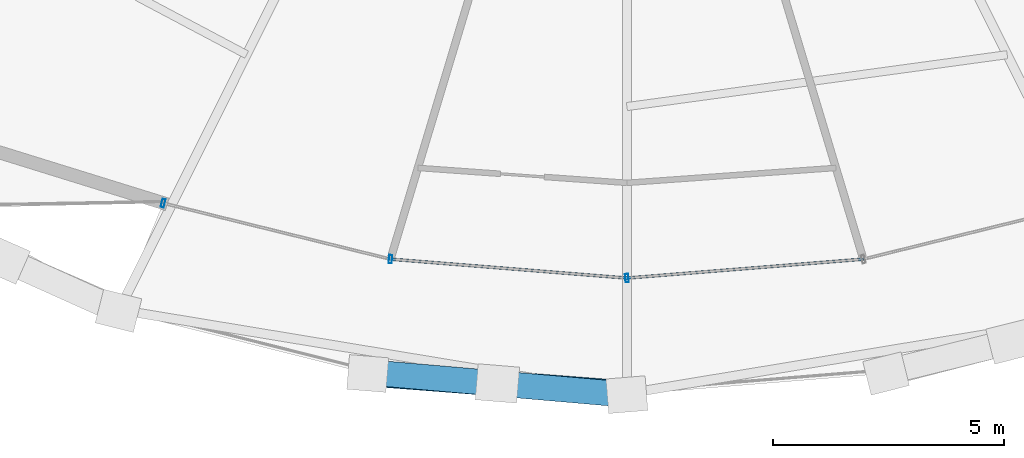
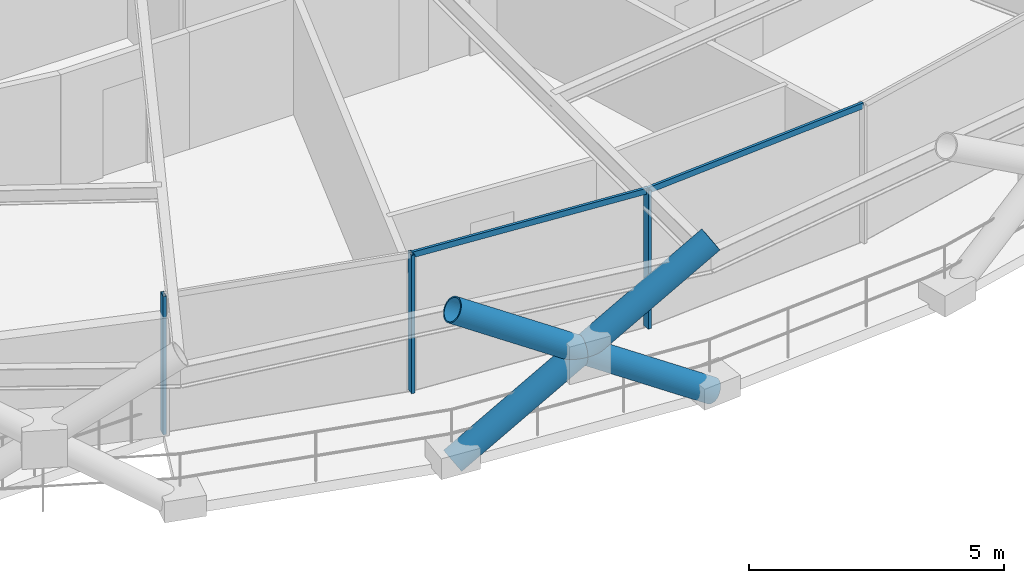
# One storey, part 2 of 20: 8 members, 1 element without a shape of its own.
"""IFC4 building model written with IfcOpenShell, lengths in metres."""

from ifc_helpers import new_model, si_unit, direction, frame, origin, origin_2d, place, context, subcontext, project, spatial, hollow_rectangle, hollow_circle, extrude, material, layer, layer_set, material_profile, profile_set, type_object, element, aggregate, save


model = new_model("IFC4")

# Units and contexts
model_context = context("Model", 3, precision=1e-05, world=origin(), true_north=direction((0.0, 1.0)))
body_context = subcontext(model_context, "Body", "Model", "MODEL_VIEW")
ifc_project = project(units=[si_unit("LENGTHUNIT", "METRE"), si_unit("AREAUNIT", "SQUARE_METRE"), si_unit("VOLUMEUNIT", "CUBIC_METRE"), si_unit("PLANEANGLEUNIT", "RADIAN"), si_unit("MASSUNIT", "GRAM", prefix="KILO")], contexts=[model_context])

# Site, building, storey
site_placement = place(None, origin())
site = spatial("IfcSite", under=ifc_project, at=site_placement, CompositionType="ELEMENT")
building_placement = place(site_placement, origin())
building = spatial("IfcBuilding", under=site, at=building_placement, Name="Veldorina Hangang Commons", CompositionType="ELEMENT")
storey_placement = place(building_placement, frame((0.0, 0.0, 117.199951171875)))
storey = spatial("IfcBuildingStorey", under=building, at=storey_placement, Name="L29", CompositionType="ELEMENT", Elevation=117.199951171875)

# Curtain wall, members
ifc_material_1 = material(Name="Glass Low-E Triple IGU", Category="glass")
ifc_layer = layer(ifc_material_1, 0.179931640625)
ifc_layer_set = layer_set([ifc_layer], Name="Glass Low-E Triple IGU")
curtain_wall_type = type_object("IfcCurtainWallType", Name="CW-SYS-Z2", PredefinedType="NOTDEFINED", material=ifc_layer_set)
curtain_wall_placement = place(storey_placement, origin())
curtain_wall = element("IfcCurtainWall", 1, at=curtain_wall_placement, inside=storey, type_object=curtain_wall_type, Name="L29 unitised curtain wall CW-L29-R1", PredefinedType="NOTDEFINED")
ifc_material_2 = material(Name="Aluminium Anodized AA6063-T6", Category="aluminium")
ifc_material_profile_1 = material_profile(ifc_material_2, hollow_rectangle(XDim=0.070068359375, YDim=0.179931640625, WallThickness=0.00390625, at=origin_2d()), Name="ALU-RHS-180x70x4")
ifc_profile_set_1 = profile_set([ifc_material_profile_1], Name="Aluminium Anodized AA6063-T6")
member_type_1 = type_object("IfcMemberType", Name="CW-MUL-180", PredefinedType="MULLION", material=ifc_profile_set_1)
member_1_placement = place(storey_placement, frame((21.97900390625, 4.3447265625, 0.0), z_axis=(0.0, 0.0, 1.0), x_axis=(0.970950813024, -0.239279164758, 0.0)))
member_1 = element("IfcMember", 2, at=member_1_placement, type_object=member_type_1, Name="CW-L29-R1 vertical mullion 1", PredefinedType="MULLION", context=body_context, shape_type="SweptSolid", body=[
    extrude(hollow_rectangle(XDim=0.070068359375, YDim=0.179931640625, WallThickness=0.00390625, at=origin_2d()), origin(), (0.0, 0.0, 1.0), 3.31005859375),
])
member_2_placement = place(storey_placement, frame((26.891357421875, 3.13427734375, 0.0), z_axis=(0.0, 0.0, 1.0), x_axis=(0.996813776951, -0.079763989875, 0.0)))
member_2 = element("IfcMember", 3, at=member_2_placement, type_object=member_type_1, Name="CW-L29-R1 vertical mullion 2", PredefinedType="MULLION", context=body_context, shape_type="SweptSolid", body=[
    extrude(hollow_rectangle(XDim=0.070068359375, YDim=0.179931640625, WallThickness=0.00390625, at=origin_2d()), origin(), (0.0, 0.0, 1.0), 3.31005859375),
])
member_3_placement = place(storey_placement, frame((32.0, 2.725341796875, 0.0), z_axis=(0.0, 0.0, 1.0), x_axis=(0.996813776951, 0.079763989875, 0.0)))
member_3 = element("IfcMember", 4, at=member_3_placement, type_object=member_type_1, Name="CW-L29-R1 vertical mullion 3", PredefinedType="MULLION", context=body_context, shape_type="SweptSolid", body=[
    extrude(hollow_rectangle(XDim=0.070068359375, YDim=0.179931640625, WallThickness=0.00390625, at=origin_2d()), origin(), (0.0, 0.0, 1.0), 3.31005859375),
])
ifc_material_profile_2 = material_profile(ifc_material_2, hollow_rectangle(XDim=0.06005859375, YDim=0.139892578125, WallThickness=0.00341796875, at=origin_2d()), Name="ALU-RHS-140x60x3.5")
ifc_profile_set_2 = profile_set([ifc_material_profile_2], Name="Aluminium Anodized AA6063-T6")
member_type_2 = type_object("IfcMemberType", Name="CW-TRN-140", PredefinedType="USERDEFINED", material=ifc_profile_set_2)
member_4_placement = place(storey_placement, frame((26.891357421875, 3.13427734375, 3.27001953125), z_axis=(0.99681149066, -0.0797925566, 0.0), x_axis=(0.0797925566, 0.99681149066, 0.0)))
member_4 = element("IfcMember", 5, at=member_4_placement, type_object=member_type_2, Name="CW-L29-R1 facet 2 transom 1", ObjectType="TRANSOM", PredefinedType="USERDEFINED", context=body_context, shape_type="SweptSolid", body=[
    extrude(hollow_rectangle(XDim=0.06005859375, YDim=0.139892578125, WallThickness=0.00341796875, at=origin_2d()), origin(), (0.0, 0.0, 1.0), 5.125),
])
member_5_placement = place(storey_placement, frame((32.0, 2.725341796875, 3.27001953125), z_axis=(0.99681149066, 0.0797925566, 0.0), x_axis=(-0.0797925566, 0.99681149066, 0.0)))
member_5 = element("IfcMember", 6, at=member_5_placement, type_object=member_type_2, Name="CW-L29-R1 facet 3 transom 1", ObjectType="TRANSOM", PredefinedType="USERDEFINED", context=body_context, shape_type="SweptSolid", body=[
    extrude(hollow_rectangle(XDim=0.06005859375, YDim=0.139892578125, WallThickness=0.00341796875, at=origin_2d()), origin(), (0.0, 0.0, 1.0), 5.125),
])
aggregate(curtain_wall, [member_1, member_2, member_3, member_4, member_5])

# Members
ifc_material_3 = material(Name="Steel SM420-TMC", Category="steel")
ifc_material_profile_3 = material_profile(ifc_material_3, hollow_circle(Radius=0.27490234375, WallThickness=0.028076171875, at=origin_2d()), Name="CHS-550x28")
ifc_profile_set_3 = profile_set([ifc_material_profile_3], Name="Steel SM420-TMC")
member_type_3 = type_object("IfcMemberType", Name="DG-CHS550", PredefinedType="BRACE", material=ifc_profile_set_3)
member_6_placement = place(storey_placement, frame((26.399658203125, 0.66259765625, 0.0), z_axis=(0.839442289552, -0.064369806326, 0.539623174582), x_axis=(0.076457176483, 0.997072866025, 0.0)))
element("IfcMember", 7, at=member_6_placement, inside=storey, type_object=member_type_3, Name="L29 continuous perimeter diagrid brace 23", PredefinedType="BRACE", context=body_context, shape_type="SweptSolid", body=[
    extrude(hollow_circle(Radius=0.27490234375, WallThickness=0.028076171875, at=origin_2d()), origin(), (0.0, 0.0, 1.0), 6.67138671875),
])
member_7_placement = place(storey_placement, frame((32.0, 0.205322265625, 0.0), z_axis=(-0.838636682604, 0.072654530259, 0.53982389149), x_axis=(-0.086310799354, -0.996268260016, 0.0)))
element("IfcMember", 8, at=member_7_placement, inside=storey, type_object=member_type_3, Name="L29 split perimeter diagrid lower brace 24", PredefinedType="BRACE", context=body_context, shape_type="SweptSolid", body=[
    extrude(hollow_circle(Radius=0.27490234375, WallThickness=0.028076171875, at=origin_2d()), origin(), (0.0, 0.0, 1.0), 3.336669921875),
])
member_8_placement = place(storey_placement, frame((29.20166015625, 0.44775390625, 1.80126953125), z_axis=(-0.83862950176, 0.07260893205, 0.539841181982), x_axis=(-0.086257766674, -0.996272853032, 0.0)))
element("IfcMember", 9, at=member_8_placement, inside=storey, type_object=member_type_3, Name="L29 split perimeter diagrid upper brace 24", PredefinedType="BRACE", context=body_context, shape_type="SweptSolid", body=[
    extrude(hollow_circle(Radius=0.27490234375, WallThickness=0.028076171875, at=origin_2d()), origin(), (0.0, 0.0, 1.0), 3.33203125),
])

save(model, "model.ifc")
